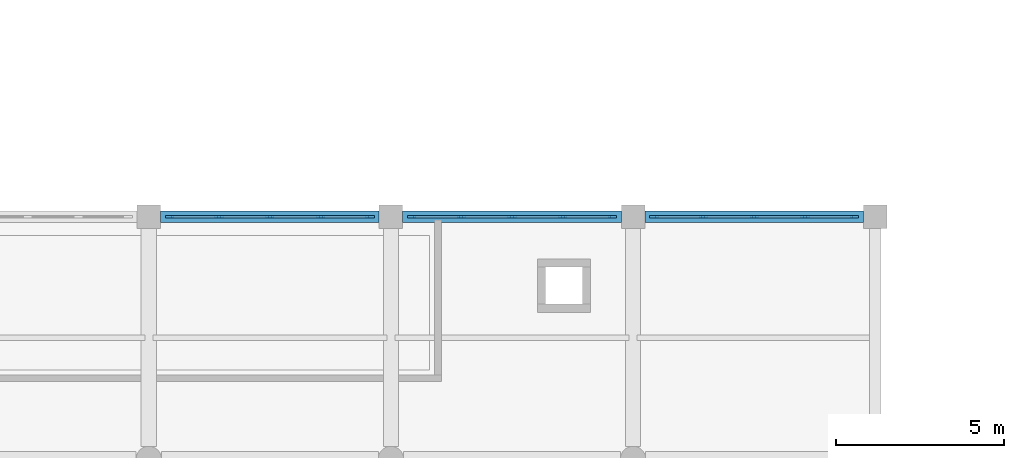
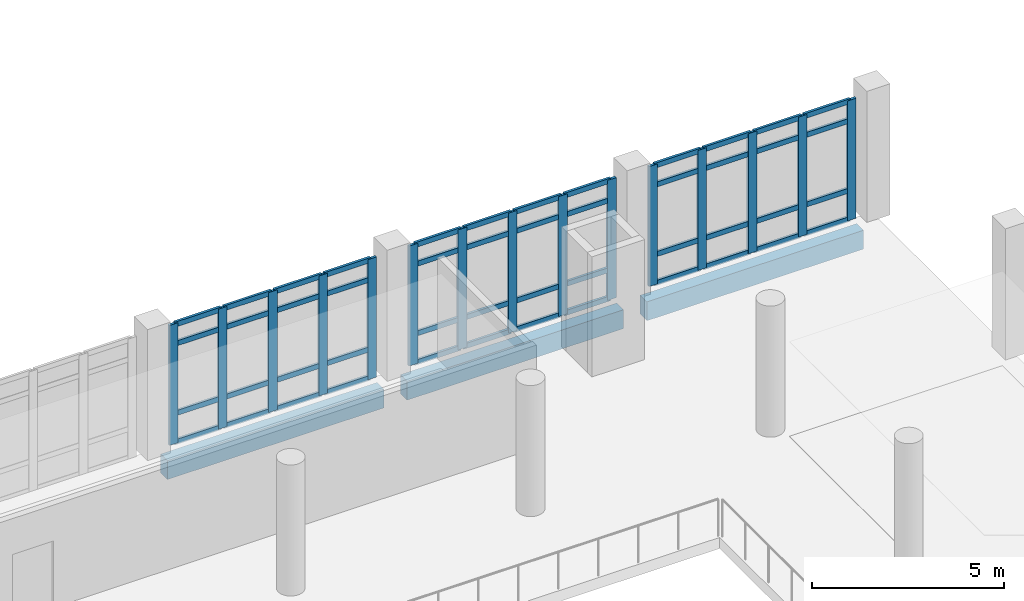
# One storey, part 20 of 57: 63 members, 3 beams, 3 elements without a shape of their own.
"""IFC4 building model written with IfcOpenShell, lengths in metres."""

from ifc_helpers import new_model, si_unit, direction, frame, origin, origin_2d, place, context, subcontext, project, spatial, rectangle, extrude, material, layer, layer_set, material_profile, profile_set, type_object, element, aggregate, save


model = new_model("IFC4")

# Units and contexts
model_context = context("Model", 3, precision=1e-05, world=origin(), true_north=direction((0.0, 1.0)))
body_context = subcontext(model_context, "Body", "Model", "MODEL_VIEW")
ifc_project = project(units=[si_unit("LENGTHUNIT", "METRE"), si_unit("AREAUNIT", "SQUARE_METRE"), si_unit("VOLUMEUNIT", "CUBIC_METRE"), si_unit("PLANEANGLEUNIT", "RADIAN"), si_unit("MASSUNIT", "GRAM", prefix="KILO")], contexts=[model_context])

# Site, building, storey
site_placement = place(None, origin())
site = spatial("IfcSite", under=ifc_project, at=site_placement, CompositionType="ELEMENT")
building_placement = place(site_placement, origin())
building = spatial("IfcBuilding", under=site, at=building_placement, Name="Valkovuoma Quantum and Materials Research Institute", CompositionType="ELEMENT")
storey_placement = place(building_placement, frame((0.0, 0.0, 4.800048828125)))
storey = spatial("IfcBuildingStorey", under=building, at=storey_placement, Name="L01", CompositionType="ELEMENT", Elevation=4.800048828125)

# Beams
ifc_material_1 = material(Name="Concrete C40/50", Category="concrete")
ifc_material_profile_1 = material_profile(ifc_material_1, rectangle(XDim=0.35009765625, YDim=0.60009765625, at=origin_2d()), Name="Concrete C40/50")
ifc_profile_set_1 = profile_set([ifc_material_profile_1], Name="Concrete C40/50")
beam_type = type_object("IfcBeamType", Name="Beam-B-SPN600", PredefinedType="SPANDREL", material=ifc_profile_set_1)
for number, where, z_axis, x_axis, name in (
    (1, (86.75, 64.800048828125, -0.650146484375), (1.0, 0.0, 0.0), (0.0, 1.0, 0.0), "L01 beam X-0640"),
    (2, (93.949951171875, 64.800048828125, -0.650146484375), (1.0, 0.0, 0.0), (0.0, 1.0, 0.0), "L01 beam X-0641"),
    (3, (101.14990234375, 64.800048828125, -0.650146484375), (1.0, 0.0, 0.0), (0.0, 1.0, 0.0), "L01 beam X-0642"),
):
    element("IfcBeam", number, at=place(storey_placement, frame(where, z_axis=z_axis, x_axis=x_axis)), inside=storey, type_object=beam_type, Name=name, PredefinedType="SPANDREL", context=body_context, shape_type="SweptSolid", body=[
        extrude(rectangle(XDim=0.35009765625, YDim=0.60009765625, at=origin_2d()), origin(), (0.0, 0.0, 1.0), 6.5),
    ])

# Curtain wall, members
ifc_material_2 = material(Name="Thermally broken aluminium and triple low-E glazing", Category="aluminium")
ifc_layer = layer(ifc_material_2, 0.219970703125)
ifc_layer_set = layer_set([ifc_layer], Name="Thermally broken aluminium and triple low-E glazing")
curtain_wall_type = type_object("IfcCurtainWallType", Name="CW-CW-02", PredefinedType="NOTDEFINED", material=ifc_layer_set)
curtain_wall_1_placement = place(storey_placement, origin())
curtain_wall_1 = element("IfcCurtainWall", 4, at=curtain_wall_1_placement, inside=storey, type_object=curtain_wall_type, Name="L01 curtain wall 176", PredefinedType="NOTDEFINED")
ifc_material_3 = material(Name="Anodised aluminium 6060-T66", Category="aluminium")
ifc_material_profile_2 = material_profile(ifc_material_3, rectangle(XDim=0.080078125, YDim=0.260009765625, at=origin_2d()), Name="Anodised aluminium 6060-T66")
ifc_profile_set_2 = profile_set([ifc_material_profile_2], Name="Anodised aluminium 6060-T66")
member_type_1 = type_object("IfcMemberType", Name="CWMull-CWM-03", PredefinedType="MULLION", material=ifc_profile_set_2)
member_1_placement = place(storey_placement, frame((87.02001953125, 64.800048828125, 0.0), z_axis=(0.0, 0.0, 1.0), x_axis=(0.0, 1.0, 0.0)))
member_1 = element("IfcMember", 5, at=member_1_placement, type_object=member_type_1, Name="CW-02 mullion 1", PredefinedType="MULLION", context=body_context, shape_type="SweptSolid", body=[
    extrude(rectangle(XDim=0.080078125, YDim=0.260009765625, at=origin_2d()), origin(), (0.0, 0.0, 1.0), 3.81005859375),
])
member_2_placement = place(storey_placement, frame((88.489990234375, 64.800048828125, 0.0), z_axis=(0.0, 0.0, 1.0), x_axis=(0.0, 1.0, 0.0)))
member_2 = element("IfcMember", 6, at=member_2_placement, type_object=member_type_1, Name="CW-02 mullion 2", PredefinedType="MULLION", context=body_context, shape_type="SweptSolid", body=[
    extrude(rectangle(XDim=0.080078125, YDim=0.260009765625, at=origin_2d()), origin(), (0.0, 0.0, 1.0), 3.81005859375),
])
member_3_placement = place(storey_placement, frame((90.0, 64.800048828125, 0.0), z_axis=(0.0, 0.0, 1.0), x_axis=(0.0, 1.0, 0.0)))
member_3 = element("IfcMember", 7, at=member_3_placement, type_object=member_type_1, Name="CW-02 mullion 3", PredefinedType="MULLION", context=body_context, shape_type="SweptSolid", body=[
    extrude(rectangle(XDim=0.080078125, YDim=0.260009765625, at=origin_2d()), origin(), (0.0, 0.0, 1.0), 3.81005859375),
])
member_4_placement = place(storey_placement, frame((91.510009765625, 64.800048828125, 0.0), z_axis=(0.0, 0.0, 1.0), x_axis=(0.0, 1.0, 0.0)))
member_4 = element("IfcMember", 8, at=member_4_placement, type_object=member_type_1, Name="CW-02 mullion 4", PredefinedType="MULLION", context=body_context, shape_type="SweptSolid", body=[
    extrude(rectangle(XDim=0.080078125, YDim=0.260009765625, at=origin_2d()), origin(), (0.0, 0.0, 1.0), 3.81005859375),
])
member_5_placement = place(storey_placement, frame((92.97998046875, 64.800048828125, 0.0), z_axis=(0.0, 0.0, 1.0), x_axis=(0.0, 1.0, 0.0)))
member_5 = element("IfcMember", 9, at=member_5_placement, type_object=member_type_1, Name="CW-02 mullion 5", PredefinedType="MULLION", context=body_context, shape_type="SweptSolid", body=[
    extrude(rectangle(XDim=0.080078125, YDim=0.260009765625, at=origin_2d()), origin(), (0.0, 0.0, 1.0), 3.81005859375),
])

curtain_wall_2_placement = place(storey_placement, origin())
curtain_wall_2 = element("IfcCurtainWall", 10, at=curtain_wall_2_placement, inside=storey, type_object=curtain_wall_type, Name="L01 curtain wall 177", PredefinedType="NOTDEFINED")
member_6_placement = place(storey_placement, frame((94.219970703125, 64.800048828125, 0.0), z_axis=(0.0, 0.0, 1.0), x_axis=(0.0, 1.0, 0.0)))
member_6 = element("IfcMember", 11, at=member_6_placement, type_object=member_type_1, Name="CW-02 mullion 1", PredefinedType="MULLION", context=body_context, shape_type="SweptSolid", body=[
    extrude(rectangle(XDim=0.080078125, YDim=0.260009765625, at=origin_2d()), origin(), (0.0, 0.0, 1.0), 3.81005859375),
])
member_7_placement = place(storey_placement, frame((95.68994140625, 64.800048828125, 0.0), z_axis=(0.0, 0.0, 1.0), x_axis=(0.0, 1.0, 0.0)))
member_7 = element("IfcMember", 12, at=member_7_placement, type_object=member_type_1, Name="CW-02 mullion 2", PredefinedType="MULLION", context=body_context, shape_type="SweptSolid", body=[
    extrude(rectangle(XDim=0.080078125, YDim=0.260009765625, at=origin_2d()), origin(), (0.0, 0.0, 1.0), 3.81005859375),
])
member_8_placement = place(storey_placement, frame((97.199951171875, 64.800048828125, 0.0), z_axis=(0.0, 0.0, 1.0), x_axis=(0.0, 1.0, 0.0)))
member_8 = element("IfcMember", 13, at=member_8_placement, type_object=member_type_1, Name="CW-02 mullion 3", PredefinedType="MULLION", context=body_context, shape_type="SweptSolid", body=[
    extrude(rectangle(XDim=0.080078125, YDim=0.260009765625, at=origin_2d()), origin(), (0.0, 0.0, 1.0), 3.81005859375),
])
member_9_placement = place(storey_placement, frame((98.7099609375, 64.800048828125, 0.0), z_axis=(0.0, 0.0, 1.0), x_axis=(0.0, 1.0, 0.0)))
member_9 = element("IfcMember", 14, at=member_9_placement, type_object=member_type_1, Name="CW-02 mullion 4", PredefinedType="MULLION", context=body_context, shape_type="SweptSolid", body=[
    extrude(rectangle(XDim=0.080078125, YDim=0.260009765625, at=origin_2d()), origin(), (0.0, 0.0, 1.0), 3.81005859375),
])
member_10_placement = place(storey_placement, frame((100.179931640625, 64.800048828125, 0.0), z_axis=(0.0, 0.0, 1.0), x_axis=(0.0, 1.0, 0.0)))
member_10 = element("IfcMember", 15, at=member_10_placement, type_object=member_type_1, Name="CW-02 mullion 5", PredefinedType="MULLION", context=body_context, shape_type="SweptSolid", body=[
    extrude(rectangle(XDim=0.080078125, YDim=0.260009765625, at=origin_2d()), origin(), (0.0, 0.0, 1.0), 3.81005859375),
])

curtain_wall_3_placement = place(storey_placement, origin())
curtain_wall_3 = element("IfcCurtainWall", 16, at=curtain_wall_3_placement, inside=storey, type_object=curtain_wall_type, Name="L01 curtain wall 178", PredefinedType="NOTDEFINED")
member_11_placement = place(storey_placement, frame((101.419921875, 64.800048828125, 0.0), z_axis=(0.0, 0.0, 1.0), x_axis=(0.0, 1.0, 0.0)))
member_11 = element("IfcMember", 17, at=member_11_placement, type_object=member_type_1, Name="CW-02 mullion 1", PredefinedType="MULLION", context=body_context, shape_type="SweptSolid", body=[
    extrude(rectangle(XDim=0.080078125, YDim=0.260009765625, at=origin_2d()), origin(), (0.0, 0.0, 1.0), 3.81005859375),
])
member_12_placement = place(storey_placement, frame((102.889892578125, 64.800048828125, 0.0), z_axis=(0.0, 0.0, 1.0), x_axis=(0.0, 1.0, 0.0)))
member_12 = element("IfcMember", 18, at=member_12_placement, type_object=member_type_1, Name="CW-02 mullion 2", PredefinedType="MULLION", context=body_context, shape_type="SweptSolid", body=[
    extrude(rectangle(XDim=0.080078125, YDim=0.260009765625, at=origin_2d()), origin(), (0.0, 0.0, 1.0), 3.81005859375),
])
member_13_placement = place(storey_placement, frame((104.39990234375, 64.800048828125, 0.0), z_axis=(0.0, 0.0, 1.0), x_axis=(0.0, 1.0, 0.0)))
member_13 = element("IfcMember", 19, at=member_13_placement, type_object=member_type_1, Name="CW-02 mullion 3", PredefinedType="MULLION", context=body_context, shape_type="SweptSolid", body=[
    extrude(rectangle(XDim=0.080078125, YDim=0.260009765625, at=origin_2d()), origin(), (0.0, 0.0, 1.0), 3.81005859375),
])
member_14_placement = place(storey_placement, frame((105.909912109375, 64.800048828125, 0.0), z_axis=(0.0, 0.0, 1.0), x_axis=(0.0, 1.0, 0.0)))
member_14 = element("IfcMember", 20, at=member_14_placement, type_object=member_type_1, Name="CW-02 mullion 4", PredefinedType="MULLION", context=body_context, shape_type="SweptSolid", body=[
    extrude(rectangle(XDim=0.080078125, YDim=0.260009765625, at=origin_2d()), origin(), (0.0, 0.0, 1.0), 3.81005859375),
])
member_15_placement = place(storey_placement, frame((107.3798828125, 64.800048828125, 0.0), z_axis=(0.0, 0.0, 1.0), x_axis=(0.0, 1.0, 0.0)))
member_15 = element("IfcMember", 21, at=member_15_placement, type_object=member_type_1, Name="CW-02 mullion 5", PredefinedType="MULLION", context=body_context, shape_type="SweptSolid", body=[
    extrude(rectangle(XDim=0.080078125, YDim=0.260009765625, at=origin_2d()), origin(), (0.0, 0.0, 1.0), 3.81005859375),
])

# Member
ifc_material_4 = material(Name="Anodised aluminium 6060-T66", Category="aluminium")
ifc_material_profile_3 = material_profile(ifc_material_4, rectangle(XDim=0.074951171875, YDim=0.159912109375, at=origin_2d()), Name="Anodised aluminium 6060-T66")
ifc_profile_set_3 = profile_set([ifc_material_profile_3], Name="Anodised aluminium 6060-T66")
member_type_2 = type_object("IfcMemberType", Name="CWTran-CWT-02", PredefinedType="USERDEFINED", material=ifc_profile_set_3)
member_16_placement = place(storey_placement, frame((87.06005859375, 64.800048828125, 0.037353515625), z_axis=(1.0, 0.0, 0.0), x_axis=(0.0, 1.0, 0.0)))
member_16 = element("IfcMember", 22, at=member_16_placement, type_object=member_type_2, Name="CW-02 transom 1.1", ObjectType="TRANSOM", PredefinedType="USERDEFINED", context=body_context, shape_type="SweptSolid", body=[
    extrude(rectangle(XDim=0.074951171875, YDim=0.159912109375, at=origin_2d()), origin(), (0.0, 0.0, 1.0), 1.389892578125),
])

member_17_placement = place(storey_placement, frame((87.06005859375, 64.800048828125, 0.949951171875), z_axis=(1.0, 0.0, 0.0), x_axis=(0.0, 1.0, 0.0)))
member_17 = element("IfcMember", 23, at=member_17_placement, type_object=member_type_2, Name="CW-02 transom 1.2", ObjectType="TRANSOM", PredefinedType="USERDEFINED", context=body_context, shape_type="SweptSolid", body=[
    extrude(rectangle(XDim=0.074951171875, YDim=0.159912109375, at=origin_2d()), origin(), (0.0, 0.0, 1.0), 1.389892578125),
])

member_18_placement = place(storey_placement, frame((87.06005859375, 64.800048828125, 3.159912109375), z_axis=(1.0, 0.0, 0.0), x_axis=(0.0, 1.0, 0.0)))
member_18 = element("IfcMember", 24, at=member_18_placement, type_object=member_type_2, Name="CW-02 transom 1.3", ObjectType="TRANSOM", PredefinedType="USERDEFINED", context=body_context, shape_type="SweptSolid", body=[
    extrude(rectangle(XDim=0.074951171875, YDim=0.159912109375, at=origin_2d()), origin(), (0.0, 0.0, 1.0), 1.389892578125),
])

member_19_placement = place(storey_placement, frame((87.06005859375, 64.800048828125, 3.7724609375), z_axis=(1.0, 0.0, 0.0), x_axis=(0.0, 1.0, 0.0)))
member_19 = element("IfcMember", 25, at=member_19_placement, type_object=member_type_2, Name="CW-02 transom 1.4", ObjectType="TRANSOM", PredefinedType="USERDEFINED", context=body_context, shape_type="SweptSolid", body=[
    extrude(rectangle(XDim=0.074951171875, YDim=0.159912109375, at=origin_2d()), origin(), (0.0, 0.0, 1.0), 1.389892578125),
])

member_20_placement = place(storey_placement, frame((88.530029296875, 64.800048828125, 0.037353515625), z_axis=(1.0, 0.0, 0.0), x_axis=(0.0, 1.0, 0.0)))
member_20 = element("IfcMember", 26, at=member_20_placement, type_object=member_type_2, Name="CW-02 transom 2.1", ObjectType="TRANSOM", PredefinedType="USERDEFINED", context=body_context, shape_type="SweptSolid", body=[
    extrude(rectangle(XDim=0.074951171875, YDim=0.159912109375, at=origin_2d()), origin(), (0.0, 0.0, 1.0), 1.429931640625),
])

member_21_placement = place(storey_placement, frame((88.530029296875, 64.800048828125, 0.949951171875), z_axis=(1.0, 0.0, 0.0), x_axis=(0.0, 1.0, 0.0)))
member_21 = element("IfcMember", 27, at=member_21_placement, type_object=member_type_2, Name="CW-02 transom 2.2", ObjectType="TRANSOM", PredefinedType="USERDEFINED", context=body_context, shape_type="SweptSolid", body=[
    extrude(rectangle(XDim=0.074951171875, YDim=0.159912109375, at=origin_2d()), origin(), (0.0, 0.0, 1.0), 1.429931640625),
])

member_22_placement = place(storey_placement, frame((88.530029296875, 64.800048828125, 3.159912109375), z_axis=(1.0, 0.0, 0.0), x_axis=(0.0, 1.0, 0.0)))
member_22 = element("IfcMember", 28, at=member_22_placement, type_object=member_type_2, Name="CW-02 transom 2.3", ObjectType="TRANSOM", PredefinedType="USERDEFINED", context=body_context, shape_type="SweptSolid", body=[
    extrude(rectangle(XDim=0.074951171875, YDim=0.159912109375, at=origin_2d()), origin(), (0.0, 0.0, 1.0), 1.429931640625),
])

member_23_placement = place(storey_placement, frame((88.530029296875, 64.800048828125, 3.7724609375), z_axis=(1.0, 0.0, 0.0), x_axis=(0.0, 1.0, 0.0)))
member_23 = element("IfcMember", 29, at=member_23_placement, type_object=member_type_2, Name="CW-02 transom 2.4", ObjectType="TRANSOM", PredefinedType="USERDEFINED", context=body_context, shape_type="SweptSolid", body=[
    extrude(rectangle(XDim=0.074951171875, YDim=0.159912109375, at=origin_2d()), origin(), (0.0, 0.0, 1.0), 1.429931640625),
])

member_24_placement = place(storey_placement, frame((90.0400390625, 64.800048828125, 0.037353515625), z_axis=(1.0, 0.0, 0.0), x_axis=(0.0, 1.0, 0.0)))
member_24 = element("IfcMember", 30, at=member_24_placement, type_object=member_type_2, Name="CW-02 transom 3.1", ObjectType="TRANSOM", PredefinedType="USERDEFINED", context=body_context, shape_type="SweptSolid", body=[
    extrude(rectangle(XDim=0.074951171875, YDim=0.159912109375, at=origin_2d()), origin(), (0.0, 0.0, 1.0), 1.429931640625),
])

member_25_placement = place(storey_placement, frame((90.0400390625, 64.800048828125, 0.949951171875), z_axis=(1.0, 0.0, 0.0), x_axis=(0.0, 1.0, 0.0)))
member_25 = element("IfcMember", 31, at=member_25_placement, type_object=member_type_2, Name="CW-02 transom 3.2", ObjectType="TRANSOM", PredefinedType="USERDEFINED", context=body_context, shape_type="SweptSolid", body=[
    extrude(rectangle(XDim=0.074951171875, YDim=0.159912109375, at=origin_2d()), origin(), (0.0, 0.0, 1.0), 1.429931640625),
])

member_26_placement = place(storey_placement, frame((90.0400390625, 64.800048828125, 3.159912109375), z_axis=(1.0, 0.0, 0.0), x_axis=(0.0, 1.0, 0.0)))
member_26 = element("IfcMember", 32, at=member_26_placement, type_object=member_type_2, Name="CW-02 transom 3.3", ObjectType="TRANSOM", PredefinedType="USERDEFINED", context=body_context, shape_type="SweptSolid", body=[
    extrude(rectangle(XDim=0.074951171875, YDim=0.159912109375, at=origin_2d()), origin(), (0.0, 0.0, 1.0), 1.429931640625),
])

member_27_placement = place(storey_placement, frame((90.0400390625, 64.800048828125, 3.7724609375), z_axis=(1.0, 0.0, 0.0), x_axis=(0.0, 1.0, 0.0)))
member_27 = element("IfcMember", 33, at=member_27_placement, type_object=member_type_2, Name="CW-02 transom 3.4", ObjectType="TRANSOM", PredefinedType="USERDEFINED", context=body_context, shape_type="SweptSolid", body=[
    extrude(rectangle(XDim=0.074951171875, YDim=0.159912109375, at=origin_2d()), origin(), (0.0, 0.0, 1.0), 1.429931640625),
])

member_28_placement = place(storey_placement, frame((91.550048828125, 64.800048828125, 0.037353515625), z_axis=(1.0, 0.0, 0.0), x_axis=(0.0, 1.0, 0.0)))
member_28 = element("IfcMember", 34, at=member_28_placement, type_object=member_type_2, Name="CW-02 transom 4.1", ObjectType="TRANSOM", PredefinedType="USERDEFINED", context=body_context, shape_type="SweptSolid", body=[
    extrude(rectangle(XDim=0.074951171875, YDim=0.159912109375, at=origin_2d()), origin(), (0.0, 0.0, 1.0), 1.389892578125),
])

member_29_placement = place(storey_placement, frame((91.550048828125, 64.800048828125, 0.949951171875), z_axis=(1.0, 0.0, 0.0), x_axis=(0.0, 1.0, 0.0)))
member_29 = element("IfcMember", 35, at=member_29_placement, type_object=member_type_2, Name="CW-02 transom 4.2", ObjectType="TRANSOM", PredefinedType="USERDEFINED", context=body_context, shape_type="SweptSolid", body=[
    extrude(rectangle(XDim=0.074951171875, YDim=0.159912109375, at=origin_2d()), origin(), (0.0, 0.0, 1.0), 1.389892578125),
])

member_30_placement = place(storey_placement, frame((91.550048828125, 64.800048828125, 3.159912109375), z_axis=(1.0, 0.0, 0.0), x_axis=(0.0, 1.0, 0.0)))
member_30 = element("IfcMember", 36, at=member_30_placement, type_object=member_type_2, Name="CW-02 transom 4.3", ObjectType="TRANSOM", PredefinedType="USERDEFINED", context=body_context, shape_type="SweptSolid", body=[
    extrude(rectangle(XDim=0.074951171875, YDim=0.159912109375, at=origin_2d()), origin(), (0.0, 0.0, 1.0), 1.389892578125),
])

member_31_placement = place(storey_placement, frame((91.550048828125, 64.800048828125, 3.7724609375), z_axis=(1.0, 0.0, 0.0), x_axis=(0.0, 1.0, 0.0)))
member_31 = element("IfcMember", 37, at=member_31_placement, type_object=member_type_2, Name="CW-02 transom 4.4", ObjectType="TRANSOM", PredefinedType="USERDEFINED", context=body_context, shape_type="SweptSolid", body=[
    extrude(rectangle(XDim=0.074951171875, YDim=0.159912109375, at=origin_2d()), origin(), (0.0, 0.0, 1.0), 1.389892578125),
])

aggregate(curtain_wall_1, [member_1, member_2, member_3, member_4, member_5, member_16, member_17, member_18, member_19, member_20, member_21, member_22, member_23, member_24, member_25, member_26, member_27, member_28, member_29, member_30, member_31])

member_32_placement = place(storey_placement, frame((94.260009765625, 64.800048828125, 0.037353515625), z_axis=(1.0, 0.0, 0.0), x_axis=(0.0, 1.0, 0.0)))
member_32 = element("IfcMember", 38, at=member_32_placement, type_object=member_type_2, Name="CW-02 transom 1.1", ObjectType="TRANSOM", PredefinedType="USERDEFINED", context=body_context, shape_type="SweptSolid", body=[
    extrude(rectangle(XDim=0.074951171875, YDim=0.159912109375, at=origin_2d()), origin(), (0.0, 0.0, 1.0), 1.389892578125),
])

member_33_placement = place(storey_placement, frame((94.260009765625, 64.800048828125, 0.949951171875), z_axis=(1.0, 0.0, 0.0), x_axis=(0.0, 1.0, 0.0)))
member_33 = element("IfcMember", 39, at=member_33_placement, type_object=member_type_2, Name="CW-02 transom 1.2", ObjectType="TRANSOM", PredefinedType="USERDEFINED", context=body_context, shape_type="SweptSolid", body=[
    extrude(rectangle(XDim=0.074951171875, YDim=0.159912109375, at=origin_2d()), origin(), (0.0, 0.0, 1.0), 1.389892578125),
])

member_34_placement = place(storey_placement, frame((94.260009765625, 64.800048828125, 3.159912109375), z_axis=(1.0, 0.0, 0.0), x_axis=(0.0, 1.0, 0.0)))
member_34 = element("IfcMember", 40, at=member_34_placement, type_object=member_type_2, Name="CW-02 transom 1.3", ObjectType="TRANSOM", PredefinedType="USERDEFINED", context=body_context, shape_type="SweptSolid", body=[
    extrude(rectangle(XDim=0.074951171875, YDim=0.159912109375, at=origin_2d()), origin(), (0.0, 0.0, 1.0), 1.389892578125),
])

member_35_placement = place(storey_placement, frame((94.260009765625, 64.800048828125, 3.7724609375), z_axis=(1.0, 0.0, 0.0), x_axis=(0.0, 1.0, 0.0)))
member_35 = element("IfcMember", 41, at=member_35_placement, type_object=member_type_2, Name="CW-02 transom 1.4", ObjectType="TRANSOM", PredefinedType="USERDEFINED", context=body_context, shape_type="SweptSolid", body=[
    extrude(rectangle(XDim=0.074951171875, YDim=0.159912109375, at=origin_2d()), origin(), (0.0, 0.0, 1.0), 1.389892578125),
])

member_36_placement = place(storey_placement, frame((95.72998046875, 64.800048828125, 0.037353515625), z_axis=(1.0, 0.0, 0.0), x_axis=(0.0, 1.0, 0.0)))
member_36 = element("IfcMember", 42, at=member_36_placement, type_object=member_type_2, Name="CW-02 transom 2.1", ObjectType="TRANSOM", PredefinedType="USERDEFINED", context=body_context, shape_type="SweptSolid", body=[
    extrude(rectangle(XDim=0.074951171875, YDim=0.159912109375, at=origin_2d()), origin(), (0.0, 0.0, 1.0), 1.429931640625),
])

member_37_placement = place(storey_placement, frame((95.72998046875, 64.800048828125, 0.949951171875), z_axis=(1.0, 0.0, 0.0), x_axis=(0.0, 1.0, 0.0)))
member_37 = element("IfcMember", 43, at=member_37_placement, type_object=member_type_2, Name="CW-02 transom 2.2", ObjectType="TRANSOM", PredefinedType="USERDEFINED", context=body_context, shape_type="SweptSolid", body=[
    extrude(rectangle(XDim=0.074951171875, YDim=0.159912109375, at=origin_2d()), origin(), (0.0, 0.0, 1.0), 1.429931640625),
])

member_38_placement = place(storey_placement, frame((95.72998046875, 64.800048828125, 3.159912109375), z_axis=(1.0, 0.0, 0.0), x_axis=(0.0, 1.0, 0.0)))
member_38 = element("IfcMember", 44, at=member_38_placement, type_object=member_type_2, Name="CW-02 transom 2.3", ObjectType="TRANSOM", PredefinedType="USERDEFINED", context=body_context, shape_type="SweptSolid", body=[
    extrude(rectangle(XDim=0.074951171875, YDim=0.159912109375, at=origin_2d()), origin(), (0.0, 0.0, 1.0), 1.429931640625),
])

member_39_placement = place(storey_placement, frame((95.72998046875, 64.800048828125, 3.7724609375), z_axis=(1.0, 0.0, 0.0), x_axis=(0.0, 1.0, 0.0)))
member_39 = element("IfcMember", 45, at=member_39_placement, type_object=member_type_2, Name="CW-02 transom 2.4", ObjectType="TRANSOM", PredefinedType="USERDEFINED", context=body_context, shape_type="SweptSolid", body=[
    extrude(rectangle(XDim=0.074951171875, YDim=0.159912109375, at=origin_2d()), origin(), (0.0, 0.0, 1.0), 1.429931640625),
])

member_40_placement = place(storey_placement, frame((97.239990234375, 64.800048828125, 0.037353515625), z_axis=(1.0, 0.0, 0.0), x_axis=(0.0, 1.0, 0.0)))
member_40 = element("IfcMember", 46, at=member_40_placement, type_object=member_type_2, Name="CW-02 transom 3.1", ObjectType="TRANSOM", PredefinedType="USERDEFINED", context=body_context, shape_type="SweptSolid", body=[
    extrude(rectangle(XDim=0.074951171875, YDim=0.159912109375, at=origin_2d()), origin(), (0.0, 0.0, 1.0), 1.429931640625),
])

member_41_placement = place(storey_placement, frame((97.239990234375, 64.800048828125, 0.949951171875), z_axis=(1.0, 0.0, 0.0), x_axis=(0.0, 1.0, 0.0)))
member_41 = element("IfcMember", 47, at=member_41_placement, type_object=member_type_2, Name="CW-02 transom 3.2", ObjectType="TRANSOM", PredefinedType="USERDEFINED", context=body_context, shape_type="SweptSolid", body=[
    extrude(rectangle(XDim=0.074951171875, YDim=0.159912109375, at=origin_2d()), origin(), (0.0, 0.0, 1.0), 1.429931640625),
])

member_42_placement = place(storey_placement, frame((97.239990234375, 64.800048828125, 3.159912109375), z_axis=(1.0, 0.0, 0.0), x_axis=(0.0, 1.0, 0.0)))
member_42 = element("IfcMember", 48, at=member_42_placement, type_object=member_type_2, Name="CW-02 transom 3.3", ObjectType="TRANSOM", PredefinedType="USERDEFINED", context=body_context, shape_type="SweptSolid", body=[
    extrude(rectangle(XDim=0.074951171875, YDim=0.159912109375, at=origin_2d()), origin(), (0.0, 0.0, 1.0), 1.429931640625),
])

member_43_placement = place(storey_placement, frame((97.239990234375, 64.800048828125, 3.7724609375), z_axis=(1.0, 0.0, 0.0), x_axis=(0.0, 1.0, 0.0)))
member_43 = element("IfcMember", 49, at=member_43_placement, type_object=member_type_2, Name="CW-02 transom 3.4", ObjectType="TRANSOM", PredefinedType="USERDEFINED", context=body_context, shape_type="SweptSolid", body=[
    extrude(rectangle(XDim=0.074951171875, YDim=0.159912109375, at=origin_2d()), origin(), (0.0, 0.0, 1.0), 1.429931640625),
])

member_44_placement = place(storey_placement, frame((98.75, 64.800048828125, 0.037353515625), z_axis=(1.0, 0.0, 0.0), x_axis=(0.0, 1.0, 0.0)))
member_44 = element("IfcMember", 50, at=member_44_placement, type_object=member_type_2, Name="CW-02 transom 4.1", ObjectType="TRANSOM", PredefinedType="USERDEFINED", context=body_context, shape_type="SweptSolid", body=[
    extrude(rectangle(XDim=0.074951171875, YDim=0.159912109375, at=origin_2d()), origin(), (0.0, 0.0, 1.0), 1.389892578125),
])

member_45_placement = place(storey_placement, frame((98.75, 64.800048828125, 0.949951171875), z_axis=(1.0, 0.0, 0.0), x_axis=(0.0, 1.0, 0.0)))
member_45 = element("IfcMember", 51, at=member_45_placement, type_object=member_type_2, Name="CW-02 transom 4.2", ObjectType="TRANSOM", PredefinedType="USERDEFINED", context=body_context, shape_type="SweptSolid", body=[
    extrude(rectangle(XDim=0.074951171875, YDim=0.159912109375, at=origin_2d()), origin(), (0.0, 0.0, 1.0), 1.389892578125),
])

member_46_placement = place(storey_placement, frame((98.75, 64.800048828125, 3.159912109375), z_axis=(1.0, 0.0, 0.0), x_axis=(0.0, 1.0, 0.0)))
member_46 = element("IfcMember", 52, at=member_46_placement, type_object=member_type_2, Name="CW-02 transom 4.3", ObjectType="TRANSOM", PredefinedType="USERDEFINED", context=body_context, shape_type="SweptSolid", body=[
    extrude(rectangle(XDim=0.074951171875, YDim=0.159912109375, at=origin_2d()), origin(), (0.0, 0.0, 1.0), 1.389892578125),
])

member_47_placement = place(storey_placement, frame((98.75, 64.800048828125, 3.7724609375), z_axis=(1.0, 0.0, 0.0), x_axis=(0.0, 1.0, 0.0)))
member_47 = element("IfcMember", 53, at=member_47_placement, type_object=member_type_2, Name="CW-02 transom 4.4", ObjectType="TRANSOM", PredefinedType="USERDEFINED", context=body_context, shape_type="SweptSolid", body=[
    extrude(rectangle(XDim=0.074951171875, YDim=0.159912109375, at=origin_2d()), origin(), (0.0, 0.0, 1.0), 1.389892578125),
])

aggregate(curtain_wall_2, [member_6, member_7, member_8, member_9, member_10, member_32, member_33, member_34, member_35, member_36, member_37, member_38, member_39, member_40, member_41, member_42, member_43, member_44, member_45, member_46, member_47])

member_48_placement = place(storey_placement, frame((101.4599609375, 64.800048828125, 0.037353515625), z_axis=(1.0, 0.0, 0.0), x_axis=(0.0, 1.0, 0.0)))
member_48 = element("IfcMember", 54, at=member_48_placement, type_object=member_type_2, Name="CW-02 transom 1.1", ObjectType="TRANSOM", PredefinedType="USERDEFINED", context=body_context, shape_type="SweptSolid", body=[
    extrude(rectangle(XDim=0.074951171875, YDim=0.159912109375, at=origin_2d()), origin(), (0.0, 0.0, 1.0), 1.39013671875),
])

member_49_placement = place(storey_placement, frame((101.4599609375, 64.800048828125, 0.949951171875), z_axis=(1.0, 0.0, 0.0), x_axis=(0.0, 1.0, 0.0)))
member_49 = element("IfcMember", 55, at=member_49_placement, type_object=member_type_2, Name="CW-02 transom 1.2", ObjectType="TRANSOM", PredefinedType="USERDEFINED", context=body_context, shape_type="SweptSolid", body=[
    extrude(rectangle(XDim=0.074951171875, YDim=0.159912109375, at=origin_2d()), origin(), (0.0, 0.0, 1.0), 1.39013671875),
])

member_50_placement = place(storey_placement, frame((101.4599609375, 64.800048828125, 3.159912109375), z_axis=(1.0, 0.0, 0.0), x_axis=(0.0, 1.0, 0.0)))
member_50 = element("IfcMember", 56, at=member_50_placement, type_object=member_type_2, Name="CW-02 transom 1.3", ObjectType="TRANSOM", PredefinedType="USERDEFINED", context=body_context, shape_type="SweptSolid", body=[
    extrude(rectangle(XDim=0.074951171875, YDim=0.159912109375, at=origin_2d()), origin(), (0.0, 0.0, 1.0), 1.39013671875),
])

member_51_placement = place(storey_placement, frame((101.4599609375, 64.800048828125, 3.7724609375), z_axis=(1.0, 0.0, 0.0), x_axis=(0.0, 1.0, 0.0)))
member_51 = element("IfcMember", 57, at=member_51_placement, type_object=member_type_2, Name="CW-02 transom 1.4", ObjectType="TRANSOM", PredefinedType="USERDEFINED", context=body_context, shape_type="SweptSolid", body=[
    extrude(rectangle(XDim=0.074951171875, YDim=0.159912109375, at=origin_2d()), origin(), (0.0, 0.0, 1.0), 1.39013671875),
])

member_52_placement = place(storey_placement, frame((102.929931640625, 64.800048828125, 0.037353515625), z_axis=(1.0, 0.0, 0.0), x_axis=(0.0, 1.0, 0.0)))
member_52 = element("IfcMember", 58, at=member_52_placement, type_object=member_type_2, Name="CW-02 transom 2.1", ObjectType="TRANSOM", PredefinedType="USERDEFINED", context=body_context, shape_type="SweptSolid", body=[
    extrude(rectangle(XDim=0.074951171875, YDim=0.159912109375, at=origin_2d()), origin(), (0.0, 0.0, 1.0), 1.43017578125),
])

member_53_placement = place(storey_placement, frame((102.929931640625, 64.800048828125, 0.949951171875), z_axis=(1.0, 0.0, 0.0), x_axis=(0.0, 1.0, 0.0)))
member_53 = element("IfcMember", 59, at=member_53_placement, type_object=member_type_2, Name="CW-02 transom 2.2", ObjectType="TRANSOM", PredefinedType="USERDEFINED", context=body_context, shape_type="SweptSolid", body=[
    extrude(rectangle(XDim=0.074951171875, YDim=0.159912109375, at=origin_2d()), origin(), (0.0, 0.0, 1.0), 1.43017578125),
])

member_54_placement = place(storey_placement, frame((102.929931640625, 64.800048828125, 3.159912109375), z_axis=(1.0, 0.0, 0.0), x_axis=(0.0, 1.0, 0.0)))
member_54 = element("IfcMember", 60, at=member_54_placement, type_object=member_type_2, Name="CW-02 transom 2.3", ObjectType="TRANSOM", PredefinedType="USERDEFINED", context=body_context, shape_type="SweptSolid", body=[
    extrude(rectangle(XDim=0.074951171875, YDim=0.159912109375, at=origin_2d()), origin(), (0.0, 0.0, 1.0), 1.43017578125),
])

member_55_placement = place(storey_placement, frame((102.929931640625, 64.800048828125, 3.7724609375), z_axis=(1.0, 0.0, 0.0), x_axis=(0.0, 1.0, 0.0)))
member_55 = element("IfcMember", 61, at=member_55_placement, type_object=member_type_2, Name="CW-02 transom 2.4", ObjectType="TRANSOM", PredefinedType="USERDEFINED", context=body_context, shape_type="SweptSolid", body=[
    extrude(rectangle(XDim=0.074951171875, YDim=0.159912109375, at=origin_2d()), origin(), (0.0, 0.0, 1.0), 1.43017578125),
])

member_56_placement = place(storey_placement, frame((104.43994140625, 64.800048828125, 0.037353515625), z_axis=(1.0, 0.0, 0.0), x_axis=(0.0, 1.0, 0.0)))
member_56 = element("IfcMember", 62, at=member_56_placement, type_object=member_type_2, Name="CW-02 transom 3.1", ObjectType="TRANSOM", PredefinedType="USERDEFINED", context=body_context, shape_type="SweptSolid", body=[
    extrude(rectangle(XDim=0.074951171875, YDim=0.159912109375, at=origin_2d()), origin(), (0.0, 0.0, 1.0), 1.43017578125),
])

member_57_placement = place(storey_placement, frame((104.43994140625, 64.800048828125, 0.949951171875), z_axis=(1.0, 0.0, 0.0), x_axis=(0.0, 1.0, 0.0)))
member_57 = element("IfcMember", 63, at=member_57_placement, type_object=member_type_2, Name="CW-02 transom 3.2", ObjectType="TRANSOM", PredefinedType="USERDEFINED", context=body_context, shape_type="SweptSolid", body=[
    extrude(rectangle(XDim=0.074951171875, YDim=0.159912109375, at=origin_2d()), origin(), (0.0, 0.0, 1.0), 1.43017578125),
])

member_58_placement = place(storey_placement, frame((104.43994140625, 64.800048828125, 3.159912109375), z_axis=(1.0, 0.0, 0.0), x_axis=(0.0, 1.0, 0.0)))
member_58 = element("IfcMember", 64, at=member_58_placement, type_object=member_type_2, Name="CW-02 transom 3.3", ObjectType="TRANSOM", PredefinedType="USERDEFINED", context=body_context, shape_type="SweptSolid", body=[
    extrude(rectangle(XDim=0.074951171875, YDim=0.159912109375, at=origin_2d()), origin(), (0.0, 0.0, 1.0), 1.43017578125),
])

member_59_placement = place(storey_placement, frame((104.43994140625, 64.800048828125, 3.7724609375), z_axis=(1.0, 0.0, 0.0), x_axis=(0.0, 1.0, 0.0)))
member_59 = element("IfcMember", 65, at=member_59_placement, type_object=member_type_2, Name="CW-02 transom 3.4", ObjectType="TRANSOM", PredefinedType="USERDEFINED", context=body_context, shape_type="SweptSolid", body=[
    extrude(rectangle(XDim=0.074951171875, YDim=0.159912109375, at=origin_2d()), origin(), (0.0, 0.0, 1.0), 1.43017578125),
])

member_60_placement = place(storey_placement, frame((105.949951171875, 64.800048828125, 0.037353515625), z_axis=(1.0, 0.0, 0.0), x_axis=(0.0, 1.0, 0.0)))
member_60 = element("IfcMember", 66, at=member_60_placement, type_object=member_type_2, Name="CW-02 transom 4.1", ObjectType="TRANSOM", PredefinedType="USERDEFINED", context=body_context, shape_type="SweptSolid", body=[
    extrude(rectangle(XDim=0.074951171875, YDim=0.159912109375, at=origin_2d()), origin(), (0.0, 0.0, 1.0), 1.39013671875),
])

member_61_placement = place(storey_placement, frame((105.949951171875, 64.800048828125, 0.949951171875), z_axis=(1.0, 0.0, 0.0), x_axis=(0.0, 1.0, 0.0)))
member_61 = element("IfcMember", 67, at=member_61_placement, type_object=member_type_2, Name="CW-02 transom 4.2", ObjectType="TRANSOM", PredefinedType="USERDEFINED", context=body_context, shape_type="SweptSolid", body=[
    extrude(rectangle(XDim=0.074951171875, YDim=0.159912109375, at=origin_2d()), origin(), (0.0, 0.0, 1.0), 1.39013671875),
])

member_62_placement = place(storey_placement, frame((105.949951171875, 64.800048828125, 3.159912109375), z_axis=(1.0, 0.0, 0.0), x_axis=(0.0, 1.0, 0.0)))
member_62 = element("IfcMember", 68, at=member_62_placement, type_object=member_type_2, Name="CW-02 transom 4.3", ObjectType="TRANSOM", PredefinedType="USERDEFINED", context=body_context, shape_type="SweptSolid", body=[
    extrude(rectangle(XDim=0.074951171875, YDim=0.159912109375, at=origin_2d()), origin(), (0.0, 0.0, 1.0), 1.39013671875),
])

member_63_placement = place(storey_placement, frame((105.949951171875, 64.800048828125, 3.7724609375), z_axis=(1.0, 0.0, 0.0), x_axis=(0.0, 1.0, 0.0)))
member_63 = element("IfcMember", 69, at=member_63_placement, type_object=member_type_2, Name="CW-02 transom 4.4", ObjectType="TRANSOM", PredefinedType="USERDEFINED", context=body_context, shape_type="SweptSolid", body=[
    extrude(rectangle(XDim=0.074951171875, YDim=0.159912109375, at=origin_2d()), origin(), (0.0, 0.0, 1.0), 1.39013671875),
])

aggregate(curtain_wall_3, [member_11, member_12, member_13, member_14, member_15, member_48, member_49, member_50, member_51, member_52, member_53, member_54, member_55, member_56, member_57, member_58, member_59, member_60, member_61, member_62, member_63])

save(model, "model.ifc")
